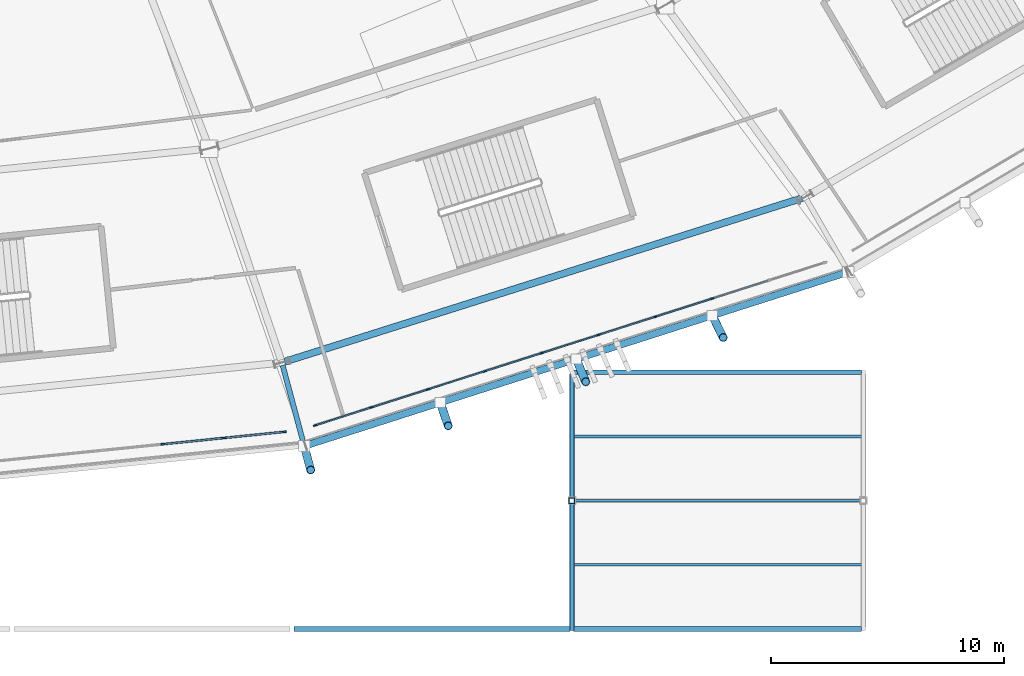
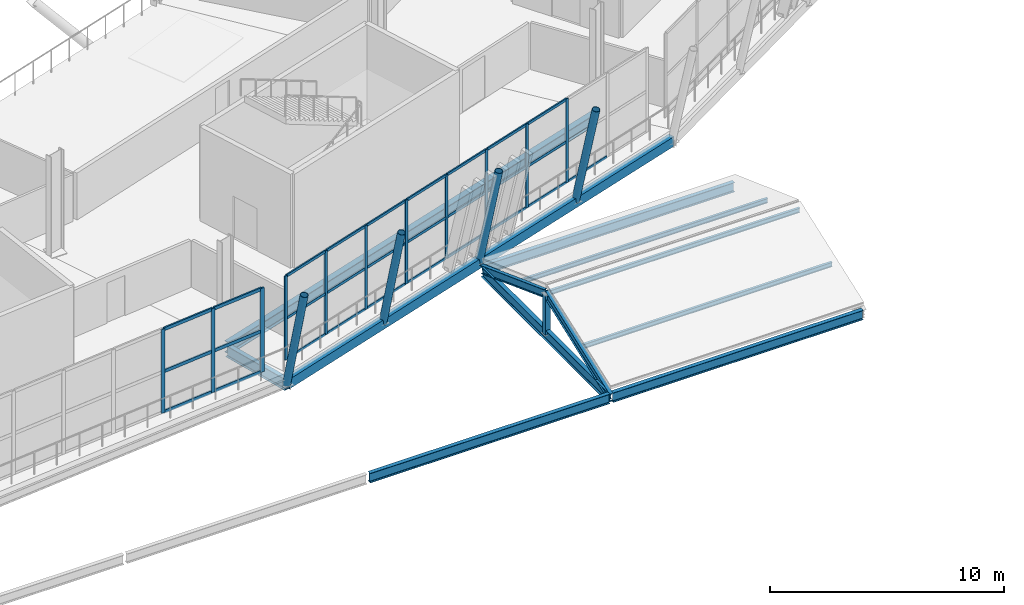
# One storey, part 46 of 168: 49 members, 7 beams, 2 elements without a shape of their own.
"""IFC4 building model written with IfcOpenShell, lengths in metres."""

import ifcopenshell
import ifcopenshell.guid

model = None  # the IFC model being written
_history = None  # IfcOwnerHistory: only IFC2X3 demands one
_inside = {}  # id of a spatial element -> (the spatial element, [elements in it])
_under = {}  # id of a project, library or spatial element -> (it, [spatial elements below it])
_declared = {}  # id of a project -> (the project, [libraries it declares])
_typed = {}  # id of a type object -> (the type object, [elements of that type])
_made_of = {}  # id of a material, layer set ... -> (it, [elements and type objects made of it])


def new_model(schema):
    """Start an empty IFC model of exactly this schema.

    Asked for "IFC4X3", IfcOpenShell would pick the latest addendum, in which some entities
    have other attributes; the version numbers below select the first issue.
    IFC2X3 requires an IfcOwnerHistory on every rooted entity: one is made here for all.
    """
    global model, _history
    if schema == "IFC4X3":
        model = ifcopenshell.file(schema_version=(4, 3, 0, 0))
    else:
        model = ifcopenshell.file(schema=schema)
    _inside.clear()
    _under.clear()
    _declared.clear()
    _typed.clear()
    _made_of.clear()
    _history = None
    if model.schema == "IFC2X3":
        org = make("IfcOrganization", Name="unknown")
        user = make(
            "IfcPersonAndOrganization",
            ThePerson=make("IfcPerson", FamilyName="unknown"),
            TheOrganization=org,
        )
        app = make(
            "IfcApplication",
            ApplicationDeveloper=org,
            Version="unknown",
            ApplicationFullName="unknown",
            ApplicationIdentifier="unknown",
        )
        _history = make(
            "IfcOwnerHistory",
            OwningUser=user,
            OwningApplication=app,
            ChangeAction="ADDED",
            CreationDate=0,
        )
    return model


def make(cls, **values):
    """One entity of the class cls with the attributes given. An attribute that is None is left unset."""
    return model.create_entity(
        cls, **{name: value for name, value in values.items() if value is not None}
    )


def rooted(cls, **values):
    """An entity with a GlobalId (a new one), such as an element, a storey or a relation."""
    return make(cls, GlobalId=ifcopenshell.guid.new(), OwnerHistory=_history, **values)


def si_unit(unit_type, name, prefix=None):
    """IfcSIUnit, for example si_unit("LENGTHUNIT", "METRE", prefix="MILLI")."""
    return make("IfcSIUnit", UnitType=unit_type, Prefix=prefix, Name=name)


def assignment(units):
    """IfcUnitAssignment: the units of a project."""
    return None if units is None else make("IfcUnitAssignment", Units=units)


def point(xyz):
    """IfcCartesianPoint."""
    return None if xyz is None else make("IfcCartesianPoint", Coordinates=xyz)


def direction(xyz):
    """IfcDirection."""
    return None if xyz is None else make("IfcDirection", DirectionRatios=xyz)


def frame(location, z_axis=None, x_axis=None):
    """IfcAxis2Placement3D, a coordinate frame: its origin and axes. An axis left out is left unset."""
    return make(
        "IfcAxis2Placement3D",
        Location=point(location),
        Axis=direction(z_axis),
        RefDirection=direction(x_axis),
    )


def frame_2d(location, x_axis=None):
    """IfcAxis2Placement2D, a coordinate frame in the plane: its origin and x axis."""
    return make(
        "IfcAxis2Placement2D", Location=point(location), RefDirection=direction(x_axis)
    )


def origin():
    """The frame at (0, 0, 0) with its axes left unset."""
    return frame((0.0, 0.0, 0.0))


def origin_2d():
    """The frame at (0, 0) in the plane with its x axis left unset."""
    return frame_2d((0.0, 0.0))


def place(relative_to, where):
    """IfcLocalPlacement: puts the frame where relative to a parent placement (None: the world)."""
    return make(
        "IfcLocalPlacement", PlacementRelTo=relative_to, RelativePlacement=where
    )


def context(
    kind, dimensions, precision=None, world=None, true_north=None, identifier=None
):
    """IfcGeometricRepresentationContext, for example the 3D "Model" context."""
    return make(
        "IfcGeometricRepresentationContext",
        ContextIdentifier=identifier,
        ContextType=kind,
        CoordinateSpaceDimension=dimensions,
        Precision=precision,
        WorldCoordinateSystem=world,
        TrueNorth=true_north,
    )


def subcontext(parent, identifier, kind, view, scale=None):
    """IfcGeometricRepresentationSubContext, for example "Body" below "Model"."""
    return make(
        "IfcGeometricRepresentationSubContext",
        ContextIdentifier=identifier,
        ContextType=kind,
        ParentContext=parent,
        TargetScale=scale,
        TargetView=view,
    )


def project(units=None, contexts=None):
    """IfcProject with its units and contexts."""
    return rooted(
        "IfcProject",
        Name="project",
        RepresentationContexts=contexts,
        UnitsInContext=assignment(units),
    )


def spatial(cls, under=None, at=None, **own):
    """A site, building, storey or space (cls), placed at a placement, below another one or the project."""
    s = rooted(cls, ObjectPlacement=at, **own)
    if under is not None:
        _under.setdefault(under.id(), (under, []))[1].append(s)
    return s


def profile(cls, at=None, kind="AREA", **sizes):
    """A parametric profile (cls). Its sizes go by their IFC names, for example OverallWidth=200.0."""
    return make(cls, ProfileType=kind, Position=at, **sizes)


def rectangle(**sizes):
    """IfcRectangleProfileDef."""
    return profile("IfcRectangleProfileDef", **sizes)


def hollow_rectangle(**sizes):
    """IfcRectangleHollowProfileDef."""
    return profile("IfcRectangleHollowProfileDef", **sizes)


def hollow_circle(**sizes):
    """IfcCircleHollowProfileDef."""
    return profile("IfcCircleHollowProfileDef", **sizes)


def i_section(**sizes):
    """IfcIShapeProfileDef."""
    return profile("IfcIShapeProfileDef", **sizes)


def extrude(swept, where, along, depth):
    """IfcExtrudedAreaSolid: the profile swept, set in the frame where, extruded along a direction by depth."""
    return make(
        "IfcExtrudedAreaSolid",
        SweptArea=swept,
        Position=where,
        ExtrudedDirection=direction(along),
        Depth=depth,
    )


def shape(context_of_items, identifier, shape_type, items):
    """IfcShapeRepresentation: the items that make up one representation, for example the "Body"."""
    return make(
        "IfcShapeRepresentation",
        ContextOfItems=context_of_items,
        RepresentationIdentifier=identifier,
        RepresentationType=shape_type,
        Items=items,
    )


def material(Name=None, Category=None):
    """IfcMaterial."""
    return make("IfcMaterial", Name=Name, Category=Category)


def material_profile(
    of_material, cross_section, Name=None, Category=None, Priority=None
):
    """IfcMaterialProfile: a cross section and its material."""
    return make(
        "IfcMaterialProfile",
        Name=Name,
        Material=of_material,
        Profile=cross_section,
        Priority=Priority,
        Category=Category,
    )


def profile_set(profiles, Name=None, composite=None):
    """IfcMaterialProfileSet."""
    return make(
        "IfcMaterialProfileSet",
        Name=Name,
        MaterialProfiles=profiles,
        CompositeProfile=composite,
    )


def made_of(thing, what):
    """Note that an element or type object is made of a material, layer set ...; save() writes the relation."""
    if what is not None:
        _made_of.setdefault(what.id(), (what, []))[1].append(thing)
    return thing


def type_object(cls, material=None, **own):
    """A type object (cls), such as IfcWallType, which elements share."""
    return made_of(rooted(cls, **own), material)


def element(
    cls,
    number,
    at=None,
    inside=None,
    cuts=None,
    type_object=None,
    material=None,
    context=None,
    identifier="Body",
    shape_type=None,
    held_by="IfcProductDefinitionShape",
    body=None,
    shapes=None,
    **own,
):
    """One element of the class cls, such as IfcWall. Its Tag is "e" and its number.

    at: its placement. inside: the storey or other place that contains it. cuts: it is an
    opening in that element (IfcRelVoidsElement). A single representation is given by context,
    identifier, shape_type and body (its items); several are given by shapes. held_by: the class
    of the entity that holds the representations. save() writes the other relations.
    """
    e = rooted(cls, Tag="e%d" % number, ObjectPlacement=at, **own)
    if body is not None:
        shapes = [shape(context, identifier, shape_type, body)]
    if shapes is not None:
        e.Representation = make(held_by, Representations=shapes)
    if inside is not None:
        _inside.setdefault(inside.id(), (inside, []))[1].append(e)
    if cuts is not None:
        rooted(
            "IfcRelVoidsElement", RelatingBuildingElement=cuts, RelatedOpeningElement=e
        )
    if type_object is not None:
        _typed.setdefault(type_object.id(), (type_object, []))[1].append(e)
    return made_of(e, material)


def aggregate(whole, parts):
    """IfcRelAggregates: a whole, such as a stair, and the parts it consists of."""
    return rooted("IfcRelAggregates", RelatingObject=whole, RelatedObjects=parts)


def save(model, path):
    """Write the relations noted so far, then the file.

    IfcRelAggregates (storeys below a building ...), IfcRelContainedInSpatialStructure (elements
    in a storey), IfcRelDefinesByType, IfcRelAssociatesMaterial and IfcRelDeclares: one each for
    every whole, place, type object, material and project.
    """
    for whole, parts in _under.values():
        aggregate(whole, parts)
    for where, things in _inside.values():
        rooted(
            "IfcRelContainedInSpatialStructure",
            RelatedElements=things,
            RelatingStructure=where,
        )
    for kind, things in _typed.values():
        rooted("IfcRelDefinesByType", RelatedObjects=things, RelatingType=kind)
    for what, things in _made_of.values():
        rooted("IfcRelAssociatesMaterial", RelatedObjects=things, RelatingMaterial=what)
    for by, libraries in _declared.values():
        rooted("IfcRelDeclares", RelatingContext=by, RelatedDefinitions=libraries)
    model.write(path)


model = new_model("IFC4")

# Units and contexts
model_context = context("Model", 3, precision=1e-05, world=origin(), true_north=direction((0.0, 1.0)))
body_context = subcontext(model_context, "Body", "Model", "MODEL_VIEW")
ifc_project = project(units=[si_unit("LENGTHUNIT", "METRE"), si_unit("AREAUNIT", "SQUARE_METRE"), si_unit("VOLUMEUNIT", "CUBIC_METRE"), si_unit("PLANEANGLEUNIT", "RADIAN"), si_unit("MASSUNIT", "GRAM", prefix="KILO")], contexts=[model_context])

# Site, building, storey
site_placement = place(None, origin())
site = spatial("IfcSite", under=ifc_project, at=site_placement, CompositionType="ELEMENT")
building_placement = place(site_placement, origin())
building = spatial("IfcBuilding", under=site, at=building_placement, Name="Zlatoyarsky Gate Stadium", CompositionType="ELEMENT")
storey_placement = place(building_placement, frame((0.0, 0.0, 15.60009765625)))
storey = spatial("IfcBuildingStorey", under=building, at=storey_placement, Name="L03", CompositionType="ELEMENT", Elevation=15.60009765625)

# Curtain wall, members
ifc_material_1 = material(Name="Thermally broken anodised aluminium curtain wall", Category="aluminium")
curtain_wall_type_1 = type_object("IfcCurtainWallType", Name="MONUMENTAL ARCHED GATE GLAZING UPPER", PredefinedType="USERDEFINED", material=ifc_material_1)
curtain_wall_1_placement = place(storey_placement, origin())
curtain_wall_1 = element("IfcCurtainWall", 1, at=curtain_wall_1_placement, inside=storey, type_object=curtain_wall_type_1, Name="Curtain wall CW-L03-18", ObjectType="ARCHED GATE GLAZING", PredefinedType="USERDEFINED")
ifc_material_2 = material(Name="Anodised aluminium 6063-T6", Category="aluminium")
ifc_material_profile_1 = material_profile(ifc_material_2, rectangle(XDim=0.074951171875, YDim=0.18994140625, at=origin_2d()), Name="ALU 75X190")
ifc_profile_set_1 = profile_set([ifc_material_profile_1], Name="Anodised aluminium 6063-T6")
member_type_1 = type_object("IfcMemberType", Name="ALUMINIUM GATE MULLION 75X190", PredefinedType="MULLION", material=ifc_profile_set_1)
member_1_placement = place(storey_placement, frame((129.96630859375, 7.922607421875, 0.0), z_axis=(0.0, 0.0, 1.0), x_axis=(-0.100968176403, 0.994889655868, 0.0)))
member_1 = element("IfcMember", 2, at=member_1_placement, type_object=member_type_1, Name="CW-AG2 mullion 8", PredefinedType="MULLION", context=body_context, shape_type="SweptSolid", body=[
    extrude(rectangle(XDim=0.074951171875, YDim=0.18994140625, at=origin_2d()), origin(), (0.0, 0.0, 1.0), 4.3798828125),
])
member_2_placement = place(storey_placement, frame((132.58349609375, 8.188232421875, 0.0), z_axis=(0.0, 0.0, 1.0), x_axis=(-0.100968176403, 0.994889655868, 0.0)))
member_2 = element("IfcMember", 3, at=member_2_placement, type_object=member_type_1, Name="CW-AG2 mullion 9", PredefinedType="MULLION", context=body_context, shape_type="SweptSolid", body=[
    extrude(rectangle(XDim=0.074951171875, YDim=0.18994140625, at=origin_2d()), origin(), (0.0, 0.0, 1.0), 4.3798828125),
])
member_3_placement = place(storey_placement, frame((135.1630859375, 8.449951171875, 0.0), z_axis=(0.0, 0.0, 1.0), x_axis=(-0.100968176403, 0.994889655868, 0.0)))
member_3 = element("IfcMember", 4, at=member_3_placement, type_object=member_type_1, Name="CW-AG2 mullion 10", PredefinedType="MULLION", context=body_context, shape_type="SweptSolid", body=[
    extrude(rectangle(XDim=0.074951171875, YDim=0.18994140625, at=origin_2d()), origin(), (0.0, 0.0, 1.0), 4.3798828125),
])
ifc_material_profile_2 = material_profile(ifc_material_2, rectangle(XDim=0.074951171875, YDim=0.169921875, at=origin_2d()), Name="ALU 75X170")
ifc_profile_set_2 = profile_set([ifc_material_profile_2], Name="Anodised aluminium 6063-T6")
member_type_2 = type_object("IfcMemberType", Name="ALUMINIUM GATE TRANSOM 75X170", PredefinedType="USERDEFINED", material=ifc_profile_set_2)
member_4_placement = place(storey_placement, frame((130.003662109375, 7.92626953125, 0.037353515625), z_axis=(0.994888539036, 0.100979180503, 0.0), x_axis=(-0.100979180503, 0.994888539036, 0.0)))
member_4 = element("IfcMember", 5, at=member_4_placement, type_object=member_type_2, Name="CW-AG2 transom 8.1", ObjectType="TRANSOM", PredefinedType="USERDEFINED", context=body_context, shape_type="SweptSolid", body=[
    extrude(rectangle(XDim=0.074951171875, YDim=0.169921875, at=origin_2d()), origin(), (0.0, 0.0, 1.0), 2.5556640625),
])
member_5_placement = place(storey_placement, frame((130.003662109375, 7.92626953125, 2.14990234375), z_axis=(0.994888539036, 0.100979180503, 0.0), x_axis=(-0.100979180503, 0.994888539036, 0.0)))
member_5 = element("IfcMember", 6, at=member_5_placement, type_object=member_type_2, Name="CW-AG2 transom 8.2", ObjectType="TRANSOM", PredefinedType="USERDEFINED", context=body_context, shape_type="SweptSolid", body=[
    extrude(rectangle(XDim=0.074951171875, YDim=0.169921875, at=origin_2d()), origin(), (0.0, 0.0, 1.0), 2.5556640625),
])
member_6_placement = place(storey_placement, frame((130.003662109375, 7.92626953125, 4.34228515625), z_axis=(0.994888539036, 0.100979180503, 0.0), x_axis=(-0.100979180503, 0.994888539036, 0.0)))
member_6 = element("IfcMember", 7, at=member_6_placement, type_object=member_type_2, Name="CW-AG2 transom 8.3", ObjectType="TRANSOM", PredefinedType="USERDEFINED", context=body_context, shape_type="SweptSolid", body=[
    extrude(rectangle(XDim=0.074951171875, YDim=0.169921875, at=origin_2d()), origin(), (0.0, 0.0, 1.0), 2.5556640625),
])
member_7_placement = place(storey_placement, frame((132.62060546875, 8.19189453125, 0.037353515625), z_axis=(0.994884372571, 0.10102022181, 0.0), x_axis=(-0.10102022181, 0.994884372571, 0.0)))
member_7 = element("IfcMember", 8, at=member_7_placement, type_object=member_type_2, Name="CW-AG2 transom 9.1", ObjectType="TRANSOM", PredefinedType="USERDEFINED", context=body_context, shape_type="SweptSolid", body=[
    extrude(rectangle(XDim=0.074951171875, YDim=0.169921875, at=origin_2d()), origin(), (0.0, 0.0, 1.0), 2.518310546875),
])
member_8_placement = place(storey_placement, frame((132.62060546875, 8.19189453125, 2.14990234375), z_axis=(0.994884372571, 0.10102022181, 0.0), x_axis=(-0.10102022181, 0.994884372571, 0.0)))
member_8 = element("IfcMember", 9, at=member_8_placement, type_object=member_type_2, Name="CW-AG2 transom 9.2", ObjectType="TRANSOM", PredefinedType="USERDEFINED", context=body_context, shape_type="SweptSolid", body=[
    extrude(rectangle(XDim=0.074951171875, YDim=0.169921875, at=origin_2d()), origin(), (0.0, 0.0, 1.0), 2.518310546875),
])
member_9_placement = place(storey_placement, frame((132.62060546875, 8.19189453125, 4.34228515625), z_axis=(0.994884372571, 0.10102022181, 0.0), x_axis=(-0.10102022181, 0.994884372571, 0.0)))
member_9 = element("IfcMember", 10, at=member_9_placement, type_object=member_type_2, Name="CW-AG2 transom 9.3", ObjectType="TRANSOM", PredefinedType="USERDEFINED", context=body_context, shape_type="SweptSolid", body=[
    extrude(rectangle(XDim=0.074951171875, YDim=0.169921875, at=origin_2d()), origin(), (0.0, 0.0, 1.0), 2.518310546875),
])
aggregate(curtain_wall_1, [member_1, member_2, member_3, member_4, member_5, member_6, member_7, member_8, member_9])

curtain_wall_type_2 = type_object("IfcCurtainWallType", Name="UNITISED CORPORATE BOX GLAZING L03", PredefinedType="USERDEFINED", material=ifc_material_1)
curtain_wall_2_placement = place(storey_placement, origin())
curtain_wall_2 = element("IfcCurtainWall", 11, at=curtain_wall_2_placement, inside=storey, type_object=curtain_wall_type_2, Name="Curtain wall CW-L03-19", ObjectType="UNITISED GLAZING", PredefinedType="USERDEFINED")
ifc_material_profile_3 = material_profile(ifc_material_2, rectangle(XDim=0.06494140625, YDim=0.159912109375, at=origin_2d()), Name="ALU 65X160")
ifc_profile_set_3 = profile_set([ifc_material_profile_3], Name="Anodised aluminium 6063-T6")
member_type_3 = type_object("IfcMemberType", Name="ALUMINIUM MULLION 65X160", PredefinedType="MULLION", material=ifc_profile_set_3)
member_10_placement = place(storey_placement, frame((136.497314453125, 8.72705078125, 0.0), z_axis=(0.0, 0.0, 1.0), x_axis=(-0.304162129597, 0.952620280552, 0.0)))
member_10 = element("IfcMember", 12, at=member_10_placement, type_object=member_type_3, Name="CW-UG3 mullion 1", PredefinedType="MULLION", context=body_context, shape_type="SweptSolid", body=[
    extrude(rectangle(XDim=0.06494140625, YDim=0.159912109375, at=origin_2d()), origin(), (0.0, 0.0, 1.0), 4.3798828125),
])
member_11_placement = place(storey_placement, frame((138.9013671875, 9.49462890625, 0.0), z_axis=(0.0, 0.0, 1.0), x_axis=(-0.304162129597, 0.952620280552, 0.0)))
member_11 = element("IfcMember", 13, at=member_11_placement, type_object=member_type_3, Name="CW-UG3 mullion 2", PredefinedType="MULLION", context=body_context, shape_type="SweptSolid", body=[
    extrude(rectangle(XDim=0.06494140625, YDim=0.159912109375, at=origin_2d()), origin(), (0.0, 0.0, 1.0), 4.3798828125),
])
member_12_placement = place(storey_placement, frame((141.33642578125, 10.27197265625, 0.0), z_axis=(0.0, 0.0, 1.0), x_axis=(-0.304162129597, 0.952620280552, 0.0)))
member_12 = element("IfcMember", 14, at=member_12_placement, type_object=member_type_3, Name="CW-UG3 mullion 3", PredefinedType="MULLION", context=body_context, shape_type="SweptSolid", body=[
    extrude(rectangle(XDim=0.06494140625, YDim=0.159912109375, at=origin_2d()), origin(), (0.0, 0.0, 1.0), 4.3798828125),
])
member_13_placement = place(storey_placement, frame((143.771484375, 11.049560546875, 0.0), z_axis=(0.0, 0.0, 1.0), x_axis=(-0.304162129597, 0.952620280552, 0.0)))
member_13 = element("IfcMember", 15, at=member_13_placement, type_object=member_type_3, Name="CW-UG3 mullion 4", PredefinedType="MULLION", context=body_context, shape_type="SweptSolid", body=[
    extrude(rectangle(XDim=0.06494140625, YDim=0.159912109375, at=origin_2d()), origin(), (0.0, 0.0, 1.0), 4.3798828125),
])
member_14_placement = place(storey_placement, frame((146.20654296875, 11.8271484375, 0.0), z_axis=(0.0, 0.0, 1.0), x_axis=(-0.304162129597, 0.952620280552, 0.0)))
member_14 = element("IfcMember", 16, at=member_14_placement, type_object=member_type_3, Name="CW-UG3 mullion 5", PredefinedType="MULLION", context=body_context, shape_type="SweptSolid", body=[
    extrude(rectangle(XDim=0.06494140625, YDim=0.159912109375, at=origin_2d()), origin(), (0.0, 0.0, 1.0), 4.3798828125),
])
member_15_placement = place(storey_placement, frame((148.6416015625, 12.6044921875, 0.0), z_axis=(0.0, 0.0, 1.0), x_axis=(-0.304162129597, 0.952620280552, 0.0)))
member_15 = element("IfcMember", 17, at=member_15_placement, type_object=member_type_3, Name="CW-UG3 mullion 6", PredefinedType="MULLION", context=body_context, shape_type="SweptSolid", body=[
    extrude(rectangle(XDim=0.06494140625, YDim=0.159912109375, at=origin_2d()), origin(), (0.0, 0.0, 1.0), 4.3798828125),
])
member_16_placement = place(storey_placement, frame((151.07666015625, 13.382080078125, 0.0), z_axis=(0.0, 0.0, 1.0), x_axis=(-0.304162129597, 0.952620280552, 0.0)))
member_16 = element("IfcMember", 18, at=member_16_placement, type_object=member_type_3, Name="CW-UG3 mullion 7", PredefinedType="MULLION", context=body_context, shape_type="SweptSolid", body=[
    extrude(rectangle(XDim=0.06494140625, YDim=0.159912109375, at=origin_2d()), origin(), (0.0, 0.0, 1.0), 4.3798828125),
])
member_17_placement = place(storey_placement, frame((153.51171875, 14.159423828125, 0.0), z_axis=(0.0, 0.0, 1.0), x_axis=(-0.304162129597, 0.952620280552, 0.0)))
member_17 = element("IfcMember", 19, at=member_17_placement, type_object=member_type_3, Name="CW-UG3 mullion 8", PredefinedType="MULLION", context=body_context, shape_type="SweptSolid", body=[
    extrude(rectangle(XDim=0.06494140625, YDim=0.159912109375, at=origin_2d()), origin(), (0.0, 0.0, 1.0), 4.3798828125),
])
ifc_material_profile_4 = material_profile(ifc_material_2, rectangle(XDim=0.06494140625, YDim=0.139892578125, at=origin_2d()), Name="ALU 65X140")
ifc_profile_set_4 = profile_set([ifc_material_profile_4], Name="Anodised aluminium 6063-T6")
member_type_4 = type_object("IfcMemberType", Name="ALUMINIUM TRANSOM 65X140", PredefinedType="USERDEFINED", material=ifc_profile_set_4)
member_18_placement = place(storey_placement, frame((136.5283203125, 8.73681640625, 0.032470703125), z_axis=(0.952627998304, 0.304137956932, 0.0), x_axis=(-0.304137956932, 0.952627998304, 0.0)))
member_18 = element("IfcMember", 20, at=member_18_placement, type_object=member_type_4, Name="CW-UG3 transom 1.1", ObjectType="TRANSOM", PredefinedType="USERDEFINED", context=body_context, shape_type="SweptSolid", body=[
    extrude(rectangle(XDim=0.06494140625, YDim=0.139892578125, at=origin_2d()), origin(), (0.0, 0.0, 1.0), 2.458740234375),
])
member_19_placement = place(storey_placement, frame((136.5283203125, 8.73681640625, 2.14990234375), z_axis=(0.952627998304, 0.304137956932, 0.0), x_axis=(-0.304137956932, 0.952627998304, 0.0)))
member_19 = element("IfcMember", 21, at=member_19_placement, type_object=member_type_4, Name="CW-UG3 transom 1.2", ObjectType="TRANSOM", PredefinedType="USERDEFINED", context=body_context, shape_type="SweptSolid", body=[
    extrude(rectangle(XDim=0.06494140625, YDim=0.139892578125, at=origin_2d()), origin(), (0.0, 0.0, 1.0), 2.458740234375),
])
member_20_placement = place(storey_placement, frame((136.5283203125, 8.73681640625, 4.347412109375), z_axis=(0.952627998304, 0.304137956932, 0.0), x_axis=(-0.304137956932, 0.952627998304, 0.0)))
member_20 = element("IfcMember", 22, at=member_20_placement, type_object=member_type_4, Name="CW-UG3 transom 1.3", ObjectType="TRANSOM", PredefinedType="USERDEFINED", context=body_context, shape_type="SweptSolid", body=[
    extrude(rectangle(XDim=0.06494140625, YDim=0.139892578125, at=origin_2d()), origin(), (0.0, 0.0, 1.0), 2.458740234375),
])
member_21_placement = place(storey_placement, frame((138.932373046875, 9.50439453125, 0.032470703125), z_axis=(0.952615115267, 0.304178306531, 0.0), x_axis=(-0.304178306531, 0.952615115267, 0.0)))
member_21 = element("IfcMember", 23, at=member_21_placement, type_object=member_type_4, Name="CW-UG3 transom 2.1", ObjectType="TRANSOM", PredefinedType="USERDEFINED", context=body_context, shape_type="SweptSolid", body=[
    extrude(rectangle(XDim=0.06494140625, YDim=0.139892578125, at=origin_2d()), origin(), (0.0, 0.0, 1.0), 2.491455078125),
])
member_22_placement = place(storey_placement, frame((138.932373046875, 9.50439453125, 2.14990234375), z_axis=(0.952615115267, 0.304178306531, 0.0), x_axis=(-0.304178306531, 0.952615115267, 0.0)))
member_22 = element("IfcMember", 24, at=member_22_placement, type_object=member_type_4, Name="CW-UG3 transom 2.2", ObjectType="TRANSOM", PredefinedType="USERDEFINED", context=body_context, shape_type="SweptSolid", body=[
    extrude(rectangle(XDim=0.06494140625, YDim=0.139892578125, at=origin_2d()), origin(), (0.0, 0.0, 1.0), 2.491455078125),
])
member_23_placement = place(storey_placement, frame((138.932373046875, 9.50439453125, 4.347412109375), z_axis=(0.952615115267, 0.304178306531, 0.0), x_axis=(-0.304178306531, 0.952615115267, 0.0)))
member_23 = element("IfcMember", 25, at=member_23_placement, type_object=member_type_4, Name="CW-UG3 transom 2.3", ObjectType="TRANSOM", PredefinedType="USERDEFINED", context=body_context, shape_type="SweptSolid", body=[
    extrude(rectangle(XDim=0.06494140625, YDim=0.139892578125, at=origin_2d()), origin(), (0.0, 0.0, 1.0), 2.491455078125),
])
member_24_placement = place(storey_placement, frame((141.367431640625, 10.281982421875, 0.032470703125), z_axis=(0.952615115267, 0.304178306531, 0.0), x_axis=(-0.304178306531, 0.952615115267, 0.0)))
member_24 = element("IfcMember", 26, at=member_24_placement, type_object=member_type_4, Name="CW-UG3 transom 3.1", ObjectType="TRANSOM", PredefinedType="USERDEFINED", context=body_context, shape_type="SweptSolid", body=[
    extrude(rectangle(XDim=0.06494140625, YDim=0.139892578125, at=origin_2d()), origin(), (0.0, 0.0, 1.0), 2.491455078125),
])
member_25_placement = place(storey_placement, frame((141.367431640625, 10.281982421875, 2.14990234375), z_axis=(0.952615115267, 0.304178306531, 0.0), x_axis=(-0.304178306531, 0.952615115267, 0.0)))
member_25 = element("IfcMember", 27, at=member_25_placement, type_object=member_type_4, Name="CW-UG3 transom 3.2", ObjectType="TRANSOM", PredefinedType="USERDEFINED", context=body_context, shape_type="SweptSolid", body=[
    extrude(rectangle(XDim=0.06494140625, YDim=0.139892578125, at=origin_2d()), origin(), (0.0, 0.0, 1.0), 2.491455078125),
])
member_26_placement = place(storey_placement, frame((141.367431640625, 10.281982421875, 4.347412109375), z_axis=(0.952615115267, 0.304178306531, 0.0), x_axis=(-0.304178306531, 0.952615115267, 0.0)))
member_26 = element("IfcMember", 28, at=member_26_placement, type_object=member_type_4, Name="CW-UG3 transom 3.3", ObjectType="TRANSOM", PredefinedType="USERDEFINED", context=body_context, shape_type="SweptSolid", body=[
    extrude(rectangle(XDim=0.06494140625, YDim=0.139892578125, at=origin_2d()), origin(), (0.0, 0.0, 1.0), 2.491455078125),
])
member_27_placement = place(storey_placement, frame((143.802490234375, 11.0595703125, 0.032470703125), z_axis=(0.95264350764, 0.304089373954, 0.0), x_axis=(-0.304089373954, 0.95264350764, 0.0)))
member_27 = element("IfcMember", 29, at=member_27_placement, type_object=member_type_4, Name="CW-UG3 transom 4.1", ObjectType="TRANSOM", PredefinedType="USERDEFINED", context=body_context, shape_type="SweptSolid", body=[
    extrude(rectangle(XDim=0.06494140625, YDim=0.139892578125, at=origin_2d()), origin(), (0.0, 0.0, 1.0), 2.4912109375),
])
member_28_placement = place(storey_placement, frame((143.802490234375, 11.0595703125, 2.14990234375), z_axis=(0.95264350764, 0.304089373954, 0.0), x_axis=(-0.304089373954, 0.95264350764, 0.0)))
member_28 = element("IfcMember", 30, at=member_28_placement, type_object=member_type_4, Name="CW-UG3 transom 4.2", ObjectType="TRANSOM", PredefinedType="USERDEFINED", context=body_context, shape_type="SweptSolid", body=[
    extrude(rectangle(XDim=0.06494140625, YDim=0.139892578125, at=origin_2d()), origin(), (0.0, 0.0, 1.0), 2.4912109375),
])
member_29_placement = place(storey_placement, frame((143.802490234375, 11.0595703125, 4.347412109375), z_axis=(0.95264350764, 0.304089373954, 0.0), x_axis=(-0.304089373954, 0.95264350764, 0.0)))
member_29 = element("IfcMember", 31, at=member_29_placement, type_object=member_type_4, Name="CW-UG3 transom 4.3", ObjectType="TRANSOM", PredefinedType="USERDEFINED", context=body_context, shape_type="SweptSolid", body=[
    extrude(rectangle(XDim=0.06494140625, YDim=0.139892578125, at=origin_2d()), origin(), (0.0, 0.0, 1.0), 2.4912109375),
])
member_30_placement = place(storey_placement, frame((146.237548828125, 11.8369140625, 0.032470703125), z_axis=(0.95260604701, 0.304206704724, 0.0), x_axis=(-0.304206704724, 0.95260604701, 0.0)))
member_30 = element("IfcMember", 32, at=member_30_placement, type_object=member_type_4, Name="CW-UG3 transom 5.1", ObjectType="TRANSOM", PredefinedType="USERDEFINED", context=body_context, shape_type="SweptSolid", body=[
    extrude(rectangle(XDim=0.06494140625, YDim=0.139892578125, at=origin_2d()), origin(), (0.0, 0.0, 1.0), 2.4912109375),
])
member_31_placement = place(storey_placement, frame((146.237548828125, 11.8369140625, 2.14990234375), z_axis=(0.95260604701, 0.304206704724, 0.0), x_axis=(-0.304206704724, 0.95260604701, 0.0)))
member_31 = element("IfcMember", 33, at=member_31_placement, type_object=member_type_4, Name="CW-UG3 transom 5.2", ObjectType="TRANSOM", PredefinedType="USERDEFINED", context=body_context, shape_type="SweptSolid", body=[
    extrude(rectangle(XDim=0.06494140625, YDim=0.139892578125, at=origin_2d()), origin(), (0.0, 0.0, 1.0), 2.4912109375),
])
member_32_placement = place(storey_placement, frame((146.237548828125, 11.8369140625, 4.347412109375), z_axis=(0.95260604701, 0.304206704724, 0.0), x_axis=(-0.304206704724, 0.95260604701, 0.0)))
member_32 = element("IfcMember", 34, at=member_32_placement, type_object=member_type_4, Name="CW-UG3 transom 5.3", ObjectType="TRANSOM", PredefinedType="USERDEFINED", context=body_context, shape_type="SweptSolid", body=[
    extrude(rectangle(XDim=0.06494140625, YDim=0.139892578125, at=origin_2d()), origin(), (0.0, 0.0, 1.0), 2.4912109375),
])
member_33_placement = place(storey_placement, frame((148.672607421875, 12.614501953125, 0.032470703125), z_axis=(0.952634444414, 0.304117765537, 0.0), x_axis=(-0.304117765537, 0.952634444414, 0.0)))
member_33 = element("IfcMember", 35, at=member_33_placement, type_object=member_type_4, Name="CW-UG3 transom 6.1", ObjectType="TRANSOM", PredefinedType="USERDEFINED", context=body_context, shape_type="SweptSolid", body=[
    extrude(rectangle(XDim=0.06494140625, YDim=0.139892578125, at=origin_2d()), origin(), (0.0, 0.0, 1.0), 2.490966796875),
])
member_34_placement = place(storey_placement, frame((148.672607421875, 12.614501953125, 2.14990234375), z_axis=(0.952634444414, 0.304117765537, 0.0), x_axis=(-0.304117765537, 0.952634444414, 0.0)))
member_34 = element("IfcMember", 36, at=member_34_placement, type_object=member_type_4, Name="CW-UG3 transom 6.2", ObjectType="TRANSOM", PredefinedType="USERDEFINED", context=body_context, shape_type="SweptSolid", body=[
    extrude(rectangle(XDim=0.06494140625, YDim=0.139892578125, at=origin_2d()), origin(), (0.0, 0.0, 1.0), 2.490966796875),
])
member_35_placement = place(storey_placement, frame((148.672607421875, 12.614501953125, 4.347412109375), z_axis=(0.952634444414, 0.304117765537, 0.0), x_axis=(-0.304117765537, 0.952634444414, 0.0)))
member_35 = element("IfcMember", 37, at=member_35_placement, type_object=member_type_4, Name="CW-UG3 transom 6.3", ObjectType="TRANSOM", PredefinedType="USERDEFINED", context=body_context, shape_type="SweptSolid", body=[
    extrude(rectangle(XDim=0.06494140625, YDim=0.139892578125, at=origin_2d()), origin(), (0.0, 0.0, 1.0), 2.490966796875),
])
member_36_placement = place(storey_placement, frame((151.107666015625, 13.391845703125, 0.032470703125), z_axis=(0.95260604701, 0.304206704724, 0.0), x_axis=(-0.304206704724, 0.95260604701, 0.0)))
member_36 = element("IfcMember", 38, at=member_36_placement, type_object=member_type_4, Name="CW-UG3 transom 7.1", ObjectType="TRANSOM", PredefinedType="USERDEFINED", context=body_context, shape_type="SweptSolid", body=[
    extrude(rectangle(XDim=0.06494140625, YDim=0.139892578125, at=origin_2d()), origin(), (0.0, 0.0, 1.0), 2.4912109375),
])
member_37_placement = place(storey_placement, frame((151.107666015625, 13.391845703125, 2.14990234375), z_axis=(0.95260604701, 0.304206704724, 0.0), x_axis=(-0.304206704724, 0.95260604701, 0.0)))
member_37 = element("IfcMember", 39, at=member_37_placement, type_object=member_type_4, Name="CW-UG3 transom 7.2", ObjectType="TRANSOM", PredefinedType="USERDEFINED", context=body_context, shape_type="SweptSolid", body=[
    extrude(rectangle(XDim=0.06494140625, YDim=0.139892578125, at=origin_2d()), origin(), (0.0, 0.0, 1.0), 2.4912109375),
])
member_38_placement = place(storey_placement, frame((151.107666015625, 13.391845703125, 4.347412109375), z_axis=(0.95260604701, 0.304206704724, 0.0), x_axis=(-0.304206704724, 0.95260604701, 0.0)))
member_38 = element("IfcMember", 40, at=member_38_placement, type_object=member_type_4, Name="CW-UG3 transom 7.3", ObjectType="TRANSOM", PredefinedType="USERDEFINED", context=body_context, shape_type="SweptSolid", body=[
    extrude(rectangle(XDim=0.06494140625, YDim=0.139892578125, at=origin_2d()), origin(), (0.0, 0.0, 1.0), 2.4912109375),
])
member_39_placement = place(storey_placement, frame((153.542724609375, 14.16943359375, 0.032470703125), z_axis=(0.95260604701, 0.304206704724, 0.0), x_axis=(-0.304206704724, 0.95260604701, 0.0)))
member_39 = element("IfcMember", 41, at=member_39_placement, type_object=member_type_4, Name="CW-UG3 transom 8.1", ObjectType="TRANSOM", PredefinedType="USERDEFINED", context=body_context, shape_type="SweptSolid", body=[
    extrude(rectangle(XDim=0.06494140625, YDim=0.139892578125, at=origin_2d()), origin(), (0.0, 0.0, 1.0), 2.4912109375),
])
aggregate(curtain_wall_2, [member_10, member_11, member_12, member_13, member_14, member_15, member_16, member_17, member_18, member_19, member_20, member_21, member_22, member_23, member_24, member_25, member_26, member_27, member_28, member_29, member_30, member_31, member_32, member_33, member_34, member_35, member_36, member_37, member_38, member_39])

# Beams
ifc_material_3 = material(Name="Steel S355", Category="steel")
ifc_material_profile_5 = material_profile(ifc_material_3, i_section(OverallWidth=0.219970703125, OverallDepth=0.60009765625, WebThickness=0.011962890625, FlangeThickness=0.01904296875, FilletRadius=0.02392578125, at=origin_2d()), Name="IPE 600")
ifc_profile_set_5 = profile_set([ifc_material_profile_5], Name="Steel S355")
beam_type_1 = type_object("IfcBeamType", Name="STEEL CANTILEVER FLOOR BEAM IPE 600", PredefinedType="BEAM", material=ifc_profile_set_5)
beam_1_placement = place(storey_placement, frame((135.101318359375, 11.303466796875, -0.580078125), z_axis=(0.258778100346, -0.965936796473, 0.0), x_axis=(0.965936796473, 0.258778100346, 0.0)))
element("IfcBeam", 42, at=beam_1_placement, inside=storey, type_object=beam_type_1, Name="Beam B-IPE600 BM-L03-OUT-19", PredefinedType="BEAM", context=body_context, shape_type="SweptSolid", body=[
    extrude(i_section(OverallWidth=0.219970703125, OverallDepth=0.60009765625, WebThickness=0.011962890625, FlangeThickness=0.01904296875, FilletRadius=0.02392578125, at=origin_2d()), origin(), (0.0, 0.0, 1.0), 3.582275390625),
])
ifc_material_profile_6 = material_profile(ifc_material_3, i_section(OverallWidth=0.199951171875, OverallDepth=0.5, WebThickness=0.01025390625, FlangeThickness=0.01611328125, FilletRadius=0.02099609375, at=origin_2d()), Name="IPE 500")
ifc_profile_set_6 = profile_set([ifc_material_profile_6], Name="Steel S355")
beam_type_2 = type_object("IfcBeamType", Name="STEEL FLOOR BEAM IPE 500", PredefinedType="BEAM", material=ifc_profile_set_6)
beam_2_placement = place(storey_placement, frame((135.580078125, 0.0, -0.530029296875), z_axis=(1.0, 0.0, 0.0), x_axis=(0.0, 1.0, 0.0)))
element("IfcBeam", 43, at=beam_2_placement, inside=storey, type_object=beam_type_2, Name="Beam B-IPE500 BM-L03-WGX-12-A", PredefinedType="BEAM", context=body_context, shape_type="SweptSolid", body=[
    extrude(i_section(OverallWidth=0.199951171875, OverallDepth=0.5, WebThickness=0.01025390625, FlangeThickness=0.01611328125, FilletRadius=0.02099609375, at=origin_2d()), origin(), (0.0, 0.0, 1.0), 11.83984375),
])
for number, where, z_axis, x_axis, name in (
    (44, (147.580078125, 0.0, -0.530029296875), (1.0, 0.0, 0.0), (0.0, 1.0, 0.0), "Beam B-IPE500 BM-L03-WGX-13-A"),
    (45, (147.580078125, 11.0, -0.530029296875), (1.0, 0.0, 0.0), (0.0, 1.0, 0.0), "Beam B-IPE500 BM-L03-WGX-13-B"),
):
    element("IfcBeam", number, at=place(storey_placement, frame(where, z_axis=z_axis, x_axis=x_axis)), inside=storey, type_object=beam_type_2, Name=name, PredefinedType="BEAM", context=body_context, shape_type="SweptSolid", body=[
        extrude(i_section(OverallWidth=0.199951171875, OverallDepth=0.5, WebThickness=0.01025390625, FlangeThickness=0.01611328125, FilletRadius=0.02099609375, at=origin_2d()), origin(), (0.0, 0.0, 1.0), 12.33984375),
    ])
ifc_material_profile_7 = material_profile(ifc_material_3, i_section(OverallWidth=0.2099609375, OverallDepth=0.550048828125, WebThickness=0.010986328125, FlangeThickness=0.01708984375, FilletRadius=0.02392578125, at=origin_2d()), Name="IPE 550")
ifc_profile_set_7 = profile_set([ifc_material_profile_7], Name="Steel S355")
beam_type_3 = type_object("IfcBeamType", Name="STEEL FLOOR BEAM IPE 550", PredefinedType="BEAM", material=ifc_profile_set_7)
beam_3_placement = place(storey_placement, frame((147.5, 0.080078125, -0.55517578125), z_axis=(0.0, 1.0, 0.0), x_axis=(-1.0, 0.0, 0.0)))
element("IfcBeam", 46, at=beam_3_placement, inside=storey, type_object=beam_type_3, Name="Beam B-IPE550 BM-L03-WGY-13-A", PredefinedType="BEAM", context=body_context, shape_type="SweptSolid", body=[
    extrude(i_section(OverallWidth=0.2099609375, OverallDepth=0.550048828125, WebThickness=0.010986328125, FlangeThickness=0.01708984375, FilletRadius=0.02392578125, at=origin_2d()), origin(), (0.0, 0.0, 1.0), 10.83984375),
])

# Members
ifc_material_profile_8 = material_profile(ifc_material_3, hollow_circle(Radius=0.177734375, WallThickness=0.02001953125, at=origin_2d()), Name="CHS 355.6X20")
ifc_profile_set_8 = profile_set([ifc_material_profile_8], Name="Steel S355")
member_type_5 = type_object("IfcMemberType", Name="STEEL LEANING RIB RING STRUT CHS 355.6X20", PredefinedType="STRUT", material=ifc_profile_set_8)
member_40_placement = place(storey_placement, frame((136.0283203125, 7.84326171875, -0.580078125), z_axis=(0.052255516288, -0.194942619511, 0.979421633473), x_axis=(0.965900058049, 0.258915194343, 0.0)))
element("IfcMember", 47, at=member_40_placement, inside=storey, type_object=member_type_5, Name="Leaning ring strut 19 L03 to L04", PredefinedType="STRUT", context=body_context, shape_type="SweptSolid", body=[
    extrude(hollow_circle(Radius=0.177734375, WallThickness=0.02001953125, at=origin_2d()), origin(), (0.0, 0.0, 1.0), 5.288818359375),
])
member_41_placement = place(storey_placement, frame((141.859130859375, 9.708984375, -0.530029296875), z_axis=(0.064412909996, -0.189960366827, 0.979676495615), x_axis=(0.947036218276, 0.321126768229, 0.0)))
element("IfcMember", 48, at=member_41_placement, inside=storey, type_object=member_type_5, Name="Outward-leaning bowl louvre fin rib L03 19-1", PredefinedType="STRUT", context=body_context, shape_type="SweptSolid", body=[
    extrude(hollow_circle(Radius=0.177734375, WallThickness=0.02001953125, at=origin_2d()), origin(), (0.0, 0.0, 1.0), 5.287353515625),
])
member_42_placement = place(storey_placement, frame((147.689697265625, 11.57470703125, -0.530029296875), z_axis=(0.076609308782, -0.184942906373, 0.97975871274), x_axis=(0.923873441445, 0.382698137168, 0.0)))
element("IfcMember", 49, at=member_42_placement, inside=storey, type_object=member_type_5, Name="Outward-leaning bowl louvre fin rib L03 19-2", PredefinedType="STRUT", context=body_context, shape_type="SweptSolid", body=[
    extrude(hollow_circle(Radius=0.177734375, WallThickness=0.02001953125, at=origin_2d()), origin(), (0.0, 0.0, 1.0), 5.286865234375),
])
member_43_placement = place(storey_placement, frame((153.5205078125, 13.440185546875, -0.530029296875), z_axis=(0.088747235311, -0.179849366045, 0.979682669928), x_axis=(0.896763250695, 0.442510646428, 0.0)))
element("IfcMember", 50, at=member_43_placement, inside=storey, type_object=member_type_5, Name="Outward-leaning bowl louvre fin rib L03 19-3", PredefinedType="STRUT", context=body_context, shape_type="SweptSolid", body=[
    extrude(hollow_circle(Radius=0.177734375, WallThickness=0.02001953125, at=origin_2d()), origin(), (0.0, 0.0, 1.0), 5.287353515625),
])

# Beam
ifc_material_profile_9 = material_profile(ifc_material_3, hollow_rectangle(XDim=0.300048828125, YDim=0.5, WallThickness=0.02001953125, at=origin_2d()), Name="RHS 500X300X20")
ifc_profile_set_9 = profile_set([ifc_material_profile_9], Name="Steel S355")
beam_type_4 = type_object("IfcBeamType", Name="STEEL LOUVRE CARRIER SPANDREL RHS 500X300X20", PredefinedType="SPANDREL", material=ifc_profile_set_9)
beam_4_placement = place(storey_placement, frame((136.04736328125, 7.849365234375, -0.530029296875), z_axis=(0.952431915611, 0.304751449752, 0.0), x_axis=(-0.304751449752, 0.952431915611, 0.0)))
element("IfcBeam", 51, at=beam_4_placement, inside=storey, type_object=beam_type_4, Name="Beam SP-RHS500 BM-L03-SPD-19", PredefinedType="SPANDREL", context=body_context, shape_type="SweptSolid", body=[
    extrude(hollow_rectangle(XDim=0.300048828125, YDim=0.5, WallThickness=0.02001953125, at=origin_2d()), origin(), (0.0, 0.0, 1.0), 24.447509765625),
])

# Members
ifc_material_profile_10 = material_profile(ifc_material_3, i_section(OverallWidth=0.1201171875, OverallDepth=0.239990234375, WebThickness=0.006103515625, FlangeThickness=0.009765625, FilletRadius=0.014892578125, at=origin_2d()), Name="IPE 240")
ifc_profile_set_10 = profile_set([ifc_material_profile_10], Name="Steel S355")
member_type_6 = type_object("IfcMemberType", Name="STEEL PAVILION ROOF PURLIN IPE 240", PredefinedType="PURLIN", material=ifc_profile_set_10)
for number, where, z_axis, x_axis, name in (
    (52, (147.5, 5.5, 1.5498046875), (1.0, 0.0, 0.0), (0.0, 1.0, 0.0), "V3_SOUTH_E ridge purlin 1"),
    (53, (147.5, 2.75, 0.385009765625), (1.0, 0.0, 0.0), (0.0, 1.0, 0.0), "V3_SOUTH_E roof purlin 1S"),
    (54, (147.5, 8.25, 0.385009765625), (1.0, 0.0, 0.0), (0.0, 1.0, 0.0), "V3_SOUTH_E roof purlin 1N"),
):
    element("IfcMember", number, at=place(storey_placement, frame(where, z_axis=z_axis, x_axis=x_axis)), inside=storey, type_object=member_type_6, Name=name, PredefinedType="PURLIN", context=body_context, shape_type="SweptSolid", body=[
        extrude(i_section(OverallWidth=0.1201171875, OverallDepth=0.239990234375, WebThickness=0.006103515625, FlangeThickness=0.009765625, FilletRadius=0.014892578125, at=origin_2d()), origin(), (0.0, 0.0, 1.0), 12.5),
    ])
ifc_material_profile_11 = material_profile(ifc_material_3, i_section(OverallWidth=0.179931640625, OverallDepth=0.39990234375, WebThickness=0.008544921875, FlangeThickness=0.013427734375, FilletRadius=0.02099609375, at=origin_2d()), Name="IPE 400")
ifc_profile_set_11 = profile_set([ifc_material_profile_11], Name="Steel S355")
member_type_7 = type_object("IfcMemberType", Name="STEEL PAVILION ROOF RAFTER IPE 400", PredefinedType="RAFTER", material=ifc_profile_set_11)
for number, where, z_axis, x_axis, name in (
    (55, (147.5, 0.0, -0.5), (0.0, 0.937038350514, 0.349226473318), (-1.0, 0.0, 0.0), "V3_SOUTH_E roof rafter 1A"),
    (56, (147.5, 11.0, -0.5), (0.0, -0.937038350514, 0.349226473318), (1.0, 0.0, 0.0), "V3_SOUTH_E roof rafter 1B"),
):
    element("IfcMember", number, at=place(storey_placement, frame(where, z_axis=z_axis, x_axis=x_axis)), inside=storey, type_object=member_type_7, Name=name, PredefinedType="RAFTER", context=body_context, shape_type="SweptSolid", body=[
        extrude(i_section(OverallWidth=0.179931640625, OverallDepth=0.39990234375, WebThickness=0.008544921875, FlangeThickness=0.013427734375, FilletRadius=0.02099609375, at=origin_2d()), origin(), (0.0, 0.0, 1.0), 5.86962890625),
    ])
ifc_material_profile_12 = material_profile(ifc_material_3, hollow_rectangle(XDim=0.25, YDim=0.25, WallThickness=0.01611328125, at=origin_2d()), Name="SHS 250X250X16")
ifc_profile_set_12 = profile_set([ifc_material_profile_12], Name="Steel S355")
member_type_8 = type_object("IfcMemberType", Name="STEEL PAVILION TRUSS STRUT SHS 250X250X16", PredefinedType="STRUT", material=ifc_profile_set_12)
member_44_placement = place(storey_placement, frame((147.5, 5.5, -0.530029296875), z_axis=(0.0, 0.0, 1.0), x_axis=(1.0, 0.0, 0.0)))
element("IfcMember", 57, at=member_44_placement, inside=storey, type_object=member_type_8, Name="V3_SOUTH_E king post strut 1", PredefinedType="STRUT", context=body_context, shape_type="SweptSolid", body=[
    extrude(hollow_rectangle(XDim=0.25, YDim=0.25, WallThickness=0.01611328125, at=origin_2d()), origin(), (0.0, 0.0, 1.0), 2.079833984375),
])

# Beam
ifc_material_profile_13 = material_profile(ifc_material_3, i_section(OverallWidth=0.300048828125, OverallDepth=0.60009765625, WebThickness=0.015380859375, FlangeThickness=0.030029296875, FilletRadius=0.027099609375, at=origin_2d()), Name="HEB 600")
ifc_profile_set_13 = profile_set([ifc_material_profile_13], Name="Steel S355")
beam_type_5 = type_object("IfcBeamType", Name="STEEL PRIMARY GIRDER HEB 600", PredefinedType="BEAM", material=ifc_profile_set_13)
beam_5_placement = place(storey_placement, frame((135.1845703125, 11.45556640625, -0.580078125), z_axis=(0.953463107403, 0.301509706015, 0.0), x_axis=(-0.301509706015, 0.953463107403, 0.0)))
element("IfcBeam", 58, at=beam_5_placement, inside=storey, type_object=beam_type_5, Name="Beam G-HEB600 BM-L03-CRC-19", PredefinedType="BEAM", context=body_context, shape_type="SweptSolid", body=[
    extrude(i_section(OverallWidth=0.300048828125, OverallDepth=0.60009765625, WebThickness=0.015380859375, FlangeThickness=0.030029296875, FilletRadius=0.027099609375, at=origin_2d()), origin(), (0.0, 0.0, 1.0), 23.284423828125),
])

save(model, "model.ifc")
